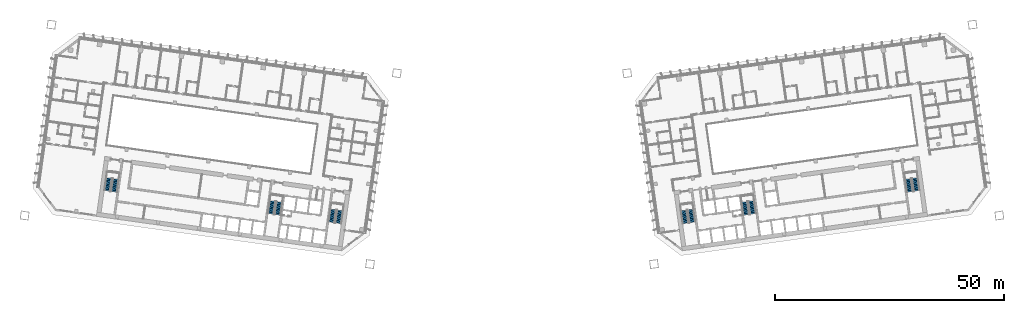
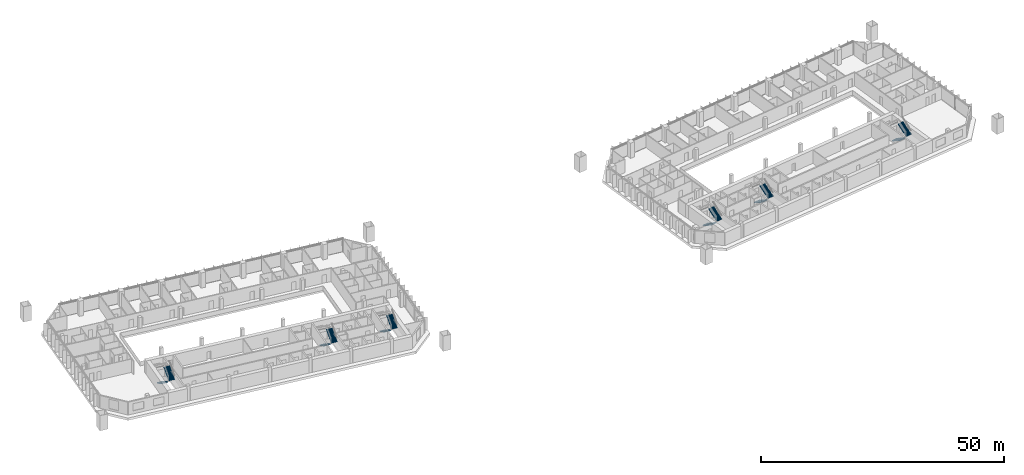
# One storey, part 23 of 25: 12 stair flights, 6 elements without a shape of their own.
"""IFC4 building model written with IfcOpenShell, lengths in metres."""

from ifc_helpers import new_model, si_unit, direction, frame, origin, place, context, subcontext, project, spatial, polyline, outline, extrude, material, type_object, element, aggregate, save


model = new_model("IFC4")

# Units and contexts
model_context = context("Model", 3, precision=1e-05, world=origin(), true_north=direction((0.0, 1.0)))
body_context = subcontext(model_context, "Body", "Model", "MODEL_VIEW")
ifc_project = project(units=[si_unit("LENGTHUNIT", "METRE"), si_unit("AREAUNIT", "SQUARE_METRE"), si_unit("VOLUMEUNIT", "CUBIC_METRE"), si_unit("PLANEANGLEUNIT", "RADIAN"), si_unit("MASSUNIT", "GRAM", prefix="KILO")], contexts=[model_context])

# Site, building, storey
site_placement = place(None, origin())
site = spatial("IfcSite", under=ifc_project, at=site_placement, CompositionType="ELEMENT")
building_placement = place(site_placement, origin())
building = spatial("IfcBuilding", under=site, at=building_placement, Name="Mirante Cascada Hotel Towers", CompositionType="ELEMENT")
storey_placement = place(building_placement, frame((0.0, 0.0, 73.7)))
storey = spatial("IfcBuildingStorey", under=building, at=storey_placement, Name="L15", CompositionType="ELEMENT", Elevation=73.7)

# Stair, stair flights
ifc_material_1 = material(Name="Concrete C35/45", Category="concrete")
stair_type = type_object("IfcStairType", Name="Exit stair half-turn 1350 concrete C35/45", PredefinedType="HALF_TURN_STAIR", material=ifc_material_1)
stair_1_placement = place(storey_placement, origin())
stair_1 = element("IfcStair", 1, at=stair_1_placement, inside=storey, type_object=stair_type, Name="L15 Exit stair A", PredefinedType="HALF_TURN_STAIR")
ifc_material_2 = material(Name="Concrete C35/45", Category="concrete")
stair_flight_type = type_object("IfcStairFlightType", Name="Exit stair flight 1350 concrete C35/45", PredefinedType="STRAIGHT", material=ifc_material_2)
stair_flight_1_placement = place(storey_placement, frame((-38.9417, -11.195, 0.0), z_axis=(0.0, 0.0, 1.0), x_axis=(-0.1391731, -0.9902681, 0.0)))
stair_flight_1 = element("IfcStairFlight", 2, at=stair_flight_1_placement, type_object=stair_flight_type, Name="ST1-A flight 1", NumberOfRisers=11, NumberOfTreads=10, PredefinedType="STRAIGHT", RiserHeight=0.172727273, TreadLength=0.28, context=body_context, shape_type="SweptSolid", body=[
    extrude(outline(polyline([(0.0, 0.0), (0.0, 0.1727), (0.28, 0.1727), (0.28, 0.3455), (0.56, 0.3455), (0.56, 0.5182), (0.84, 0.5182), (0.84, 0.6909), (1.12, 0.6909), (1.12, 0.8636), (1.4, 0.8636), (1.4, 1.0364), (1.68, 1.0364), (1.68, 1.2091), (1.96, 1.2091), (1.96, 1.3818), (2.24, 1.3818), (2.24, 1.5545), (2.52, 1.5545), (2.52, 1.7273), (2.8, 1.7273), (2.8, 1.9), (2.8, 1.551), (0.2857, 0.0), (0.0, 0.0)])), frame((0.0, 0.675, 0.0), z_axis=(0.0, -1.0, 0.0), x_axis=(1.0, 0.0, 0.0)), (0.0, 0.0, 1.0), 1.35),
])
stair_flight_2_placement = place(storey_placement, frame((-37.846, -14.1765, 1.9), z_axis=(0.0, 0.0, 1.0), x_axis=(0.1391731, 0.9902681, 0.0)))
stair_flight_2 = element("IfcStairFlight", 3, at=stair_flight_2_placement, type_object=stair_flight_type, Name="ST1-A flight 2", NumberOfRisers=11, NumberOfTreads=10, PredefinedType="STRAIGHT", RiserHeight=0.172727273, TreadLength=0.28, context=body_context, shape_type="SweptSolid", body=[
    extrude(outline(polyline([(0.0, 0.0), (0.0, 0.1727), (0.28, 0.1727), (0.28, 0.3455), (0.56, 0.3455), (0.56, 0.5182), (0.84, 0.5182), (0.84, 0.6909), (1.12, 0.6909), (1.12, 0.8636), (1.4, 0.8636), (1.4, 1.0364), (1.68, 1.0364), (1.68, 1.2091), (1.96, 1.2091), (1.96, 1.3818), (2.24, 1.3818), (2.24, 1.5545), (2.52, 1.5545), (2.52, 1.7273), (2.8, 1.7273), (2.8, 1.9), (2.8, 1.551), (0.2857, 0.0), (0.0, 0.0)])), frame((0.0, 0.675, 0.0), z_axis=(0.0, -1.0, 0.0), x_axis=(1.0, 0.0, 0.0)), (0.0, 0.0, 1.0), 1.35),
])
aggregate(stair_1, [stair_flight_1, stair_flight_2])

stair_2_placement = place(storey_placement, origin())
stair_2 = element("IfcStair", 4, at=stair_2_placement, inside=storey, type_object=stair_type, Name="L15 Exit stair B", PredefinedType="HALF_TURN_STAIR")
stair_flight_3_placement = place(storey_placement, frame((-52.1618, -9.3371, 0.0), z_axis=(0.0, 0.0, 1.0), x_axis=(-0.1391731, -0.9902681, 0.0)))
stair_flight_3 = element("IfcStairFlight", 5, at=stair_flight_3_placement, type_object=stair_flight_type, Name="ST1-B flight 1", NumberOfRisers=11, NumberOfTreads=10, PredefinedType="STRAIGHT", RiserHeight=0.172727273, TreadLength=0.28, context=body_context, shape_type="SweptSolid", body=[
    extrude(outline(polyline([(0.0, 0.0), (0.0, 0.1727), (0.28, 0.1727), (0.28, 0.3455), (0.56, 0.3455), (0.56, 0.5182), (0.84, 0.5182), (0.84, 0.6909), (1.12, 0.6909), (1.12, 0.8636), (1.4, 0.8636), (1.4, 1.0364), (1.68, 1.0364), (1.68, 1.2091), (1.96, 1.2091), (1.96, 1.3818), (2.24, 1.3818), (2.24, 1.5545), (2.52, 1.5545), (2.52, 1.7273), (2.8, 1.7273), (2.8, 1.9), (2.8, 1.551), (0.2857, 0.0), (0.0, 0.0)])), frame((0.0, 0.675, 0.0), z_axis=(0.0, -1.0, 0.0), x_axis=(1.0, 0.0, 0.0)), (0.0, 0.0, 1.0), 1.35),
])
stair_flight_4_placement = place(storey_placement, frame((-51.0661, -12.3186, 1.9), z_axis=(0.0, 0.0, 1.0), x_axis=(0.1391731, 0.9902681, 0.0)))
stair_flight_4 = element("IfcStairFlight", 6, at=stair_flight_4_placement, type_object=stair_flight_type, Name="ST1-B flight 2", NumberOfRisers=11, NumberOfTreads=10, PredefinedType="STRAIGHT", RiserHeight=0.172727273, TreadLength=0.28, context=body_context, shape_type="SweptSolid", body=[
    extrude(outline(polyline([(0.0, 0.0), (0.0, 0.1727), (0.28, 0.1727), (0.28, 0.3455), (0.56, 0.3455), (0.56, 0.5182), (0.84, 0.5182), (0.84, 0.6909), (1.12, 0.6909), (1.12, 0.8636), (1.4, 0.8636), (1.4, 1.0364), (1.68, 1.0364), (1.68, 1.2091), (1.96, 1.2091), (1.96, 1.3818), (2.24, 1.3818), (2.24, 1.5545), (2.52, 1.5545), (2.52, 1.7273), (2.8, 1.7273), (2.8, 1.9), (2.8, 1.551), (0.2857, 0.0), (0.0, 0.0)])), frame((0.0, 0.675, 0.0), z_axis=(0.0, -1.0, 0.0), x_axis=(1.0, 0.0, 0.0)), (0.0, 0.0, 1.0), 1.35),
])
aggregate(stair_2, [stair_flight_3, stair_flight_4])

stair_3_placement = place(storey_placement, origin())
stair_3 = element("IfcStair", 7, at=stair_3_placement, inside=storey, type_object=stair_type, Name="L15 Exit stair C", PredefinedType="HALF_TURN_STAIR")
stair_flight_5_placement = place(storey_placement, frame((-87.8115, -4.3268, 0.0), z_axis=(0.0, 0.0, 1.0), x_axis=(-0.1391731, -0.9902681, 0.0)))
stair_flight_5 = element("IfcStairFlight", 8, at=stair_flight_5_placement, type_object=stair_flight_type, Name="ST1-C flight 1", NumberOfRisers=11, NumberOfTreads=10, PredefinedType="STRAIGHT", RiserHeight=0.172727273, TreadLength=0.28, context=body_context, shape_type="SweptSolid", body=[
    extrude(outline(polyline([(0.0, 0.0), (0.0, 0.1727), (0.28, 0.1727), (0.28, 0.3455), (0.56, 0.3455), (0.56, 0.5182), (0.84, 0.5182), (0.84, 0.6909), (1.12, 0.6909), (1.12, 0.8636), (1.4, 0.8636), (1.4, 1.0364), (1.68, 1.0364), (1.68, 1.2091), (1.96, 1.2091), (1.96, 1.3818), (2.24, 1.3818), (2.24, 1.5545), (2.52, 1.5545), (2.52, 1.7273), (2.8, 1.7273), (2.8, 1.9), (2.8, 1.551), (0.2857, 0.0), (0.0, 0.0)])), frame((0.0, 0.675, 0.0), z_axis=(0.0, -1.0, 0.0), x_axis=(1.0, 0.0, 0.0)), (0.0, 0.0, 1.0), 1.35),
])
stair_flight_6_placement = place(storey_placement, frame((-86.7157, -7.3084, 1.9), z_axis=(0.0, 0.0, 1.0), x_axis=(0.1391731, 0.9902681, 0.0)))
stair_flight_6 = element("IfcStairFlight", 9, at=stair_flight_6_placement, type_object=stair_flight_type, Name="ST1-C flight 2", NumberOfRisers=11, NumberOfTreads=10, PredefinedType="STRAIGHT", RiserHeight=0.172727273, TreadLength=0.28, context=body_context, shape_type="SweptSolid", body=[
    extrude(outline(polyline([(0.0, 0.0), (0.0, 0.1727), (0.28, 0.1727), (0.28, 0.3455), (0.56, 0.3455), (0.56, 0.5182), (0.84, 0.5182), (0.84, 0.6909), (1.12, 0.6909), (1.12, 0.8636), (1.4, 0.8636), (1.4, 1.0364), (1.68, 1.0364), (1.68, 1.2091), (1.96, 1.2091), (1.96, 1.3818), (2.24, 1.3818), (2.24, 1.5545), (2.52, 1.5545), (2.52, 1.7273), (2.8, 1.7273), (2.8, 1.9), (2.8, 1.551), (0.2857, 0.0), (0.0, 0.0)])), frame((0.0, 0.675, 0.0), z_axis=(0.0, -1.0, 0.0), x_axis=(1.0, 0.0, 0.0)), (0.0, 0.0, 1.0), 1.35),
])
aggregate(stair_3, [stair_flight_5, stair_flight_6])

stair_4_placement = place(storey_placement, origin())
stair_4 = element("IfcStair", 10, at=stair_4_placement, inside=storey, type_object=stair_type, Name="L15 Exit stair A", PredefinedType="HALF_TURN_STAIR")
stair_flight_7_placement = place(storey_placement, frame((37.4563, -11.4038, 0.0), z_axis=(0.0, 0.0, 1.0), x_axis=(0.1391731, -0.9902681, 0.0)))
stair_flight_7 = element("IfcStairFlight", 11, at=stair_flight_7_placement, type_object=stair_flight_type, Name="ST2-A flight 1", NumberOfRisers=11, NumberOfTreads=10, PredefinedType="STRAIGHT", RiserHeight=0.172727273, TreadLength=0.28, context=body_context, shape_type="SweptSolid", body=[
    extrude(outline(polyline([(0.0, 0.0), (0.0, 0.1727), (0.28, 0.1727), (0.28, 0.3455), (0.56, 0.3455), (0.56, 0.5182), (0.84, 0.5182), (0.84, 0.6909), (1.12, 0.6909), (1.12, 0.8636), (1.4, 0.8636), (1.4, 1.0364), (1.68, 1.0364), (1.68, 1.2091), (1.96, 1.2091), (1.96, 1.3818), (2.24, 1.3818), (2.24, 1.5545), (2.52, 1.5545), (2.52, 1.7273), (2.8, 1.7273), (2.8, 1.9), (2.8, 1.551), (0.2857, 0.0), (0.0, 0.0)])), frame((0.0, 0.675, 0.0), z_axis=(0.0, -1.0, 0.0), x_axis=(1.0, 0.0, 0.0)), (0.0, 0.0, 1.0), 1.35),
])
stair_flight_8_placement = place(storey_placement, frame((39.3314, -13.9678, 1.9), z_axis=(0.0, 0.0, 1.0), x_axis=(-0.1391731, 0.9902681, 0.0)))
stair_flight_8 = element("IfcStairFlight", 12, at=stair_flight_8_placement, type_object=stair_flight_type, Name="ST2-A flight 2", NumberOfRisers=11, NumberOfTreads=10, PredefinedType="STRAIGHT", RiserHeight=0.172727273, TreadLength=0.28, context=body_context, shape_type="SweptSolid", body=[
    extrude(outline(polyline([(0.0, 0.0), (0.0, 0.1727), (0.28, 0.1727), (0.28, 0.3455), (0.56, 0.3455), (0.56, 0.5182), (0.84, 0.5182), (0.84, 0.6909), (1.12, 0.6909), (1.12, 0.8636), (1.4, 0.8636), (1.4, 1.0364), (1.68, 1.0364), (1.68, 1.2091), (1.96, 1.2091), (1.96, 1.3818), (2.24, 1.3818), (2.24, 1.5545), (2.52, 1.5545), (2.52, 1.7273), (2.8, 1.7273), (2.8, 1.9), (2.8, 1.551), (0.2857, 0.0), (0.0, 0.0)])), frame((0.0, 0.675, 0.0), z_axis=(0.0, -1.0, 0.0), x_axis=(1.0, 0.0, 0.0)), (0.0, 0.0, 1.0), 1.35),
])
aggregate(stair_4, [stair_flight_7, stair_flight_8])

stair_5_placement = place(storey_placement, origin())
stair_5 = element("IfcStair", 13, at=stair_5_placement, inside=storey, type_object=stair_type, Name="L15 Exit stair B", PredefinedType="HALF_TURN_STAIR")
stair_flight_9_placement = place(storey_placement, frame((50.6764, -9.5458, 0.0), z_axis=(0.0, 0.0, 1.0), x_axis=(0.1391731, -0.9902681, 0.0)))
stair_flight_9 = element("IfcStairFlight", 14, at=stair_flight_9_placement, type_object=stair_flight_type, Name="ST2-B flight 1", NumberOfRisers=11, NumberOfTreads=10, PredefinedType="STRAIGHT", RiserHeight=0.172727273, TreadLength=0.28, context=body_context, shape_type="SweptSolid", body=[
    extrude(outline(polyline([(0.0, 0.0), (0.0, 0.1727), (0.28, 0.1727), (0.28, 0.3455), (0.56, 0.3455), (0.56, 0.5182), (0.84, 0.5182), (0.84, 0.6909), (1.12, 0.6909), (1.12, 0.8636), (1.4, 0.8636), (1.4, 1.0364), (1.68, 1.0364), (1.68, 1.2091), (1.96, 1.2091), (1.96, 1.3818), (2.24, 1.3818), (2.24, 1.5545), (2.52, 1.5545), (2.52, 1.7273), (2.8, 1.7273), (2.8, 1.9), (2.8, 1.551), (0.2857, 0.0), (0.0, 0.0)])), frame((0.0, 0.675, 0.0), z_axis=(0.0, -1.0, 0.0), x_axis=(1.0, 0.0, 0.0)), (0.0, 0.0, 1.0), 1.35),
])
stair_flight_10_placement = place(storey_placement, frame((52.5515, -12.1098, 1.9), z_axis=(0.0, 0.0, 1.0), x_axis=(-0.1391731, 0.9902681, 0.0)))
stair_flight_10 = element("IfcStairFlight", 15, at=stair_flight_10_placement, type_object=stair_flight_type, Name="ST2-B flight 2", NumberOfRisers=11, NumberOfTreads=10, PredefinedType="STRAIGHT", RiserHeight=0.172727273, TreadLength=0.28, context=body_context, shape_type="SweptSolid", body=[
    extrude(outline(polyline([(0.0, 0.0), (0.0, 0.1727), (0.28, 0.1727), (0.28, 0.3455), (0.56, 0.3455), (0.56, 0.5182), (0.84, 0.5182), (0.84, 0.6909), (1.12, 0.6909), (1.12, 0.8636), (1.4, 0.8636), (1.4, 1.0364), (1.68, 1.0364), (1.68, 1.2091), (1.96, 1.2091), (1.96, 1.3818), (2.24, 1.3818), (2.24, 1.5545), (2.52, 1.5545), (2.52, 1.7273), (2.8, 1.7273), (2.8, 1.9), (2.8, 1.551), (0.2857, 0.0), (0.0, 0.0)])), frame((0.0, 0.675, 0.0), z_axis=(0.0, -1.0, 0.0), x_axis=(1.0, 0.0, 0.0)), (0.0, 0.0, 1.0), 1.35),
])
aggregate(stair_5, [stair_flight_9, stair_flight_10])

stair_6_placement = place(storey_placement, origin())
stair_6 = element("IfcStair", 16, at=stair_6_placement, inside=storey, type_object=stair_type, Name="L15 Exit stair C", PredefinedType="HALF_TURN_STAIR")
stair_flight_11_placement = place(storey_placement, frame((86.326, -4.5356, 0.0), z_axis=(0.0, 0.0, 1.0), x_axis=(0.1391731, -0.9902681, 0.0)))
stair_flight_11 = element("IfcStairFlight", 17, at=stair_flight_11_placement, type_object=stair_flight_type, Name="ST2-C flight 1", NumberOfRisers=11, NumberOfTreads=10, PredefinedType="STRAIGHT", RiserHeight=0.172727273, TreadLength=0.28, context=body_context, shape_type="SweptSolid", body=[
    extrude(outline(polyline([(0.0, 0.0), (0.0, 0.1727), (0.28, 0.1727), (0.28, 0.3455), (0.56, 0.3455), (0.56, 0.5182), (0.84, 0.5182), (0.84, 0.6909), (1.12, 0.6909), (1.12, 0.8636), (1.4, 0.8636), (1.4, 1.0364), (1.68, 1.0364), (1.68, 1.2091), (1.96, 1.2091), (1.96, 1.3818), (2.24, 1.3818), (2.24, 1.5545), (2.52, 1.5545), (2.52, 1.7273), (2.8, 1.7273), (2.8, 1.9), (2.8, 1.551), (0.2857, 0.0), (0.0, 0.0)])), frame((0.0, 0.675, 0.0), z_axis=(0.0, -1.0, 0.0), x_axis=(1.0, 0.0, 0.0)), (0.0, 0.0, 1.0), 1.35),
])
stair_flight_12_placement = place(storey_placement, frame((88.2011, -7.0996, 1.9), z_axis=(0.0, 0.0, 1.0), x_axis=(-0.1391731, 0.9902681, 0.0)))
stair_flight_12 = element("IfcStairFlight", 18, at=stair_flight_12_placement, type_object=stair_flight_type, Name="ST2-C flight 2", NumberOfRisers=11, NumberOfTreads=10, PredefinedType="STRAIGHT", RiserHeight=0.172727273, TreadLength=0.28, context=body_context, shape_type="SweptSolid", body=[
    extrude(outline(polyline([(0.0, 0.0), (0.0, 0.1727), (0.28, 0.1727), (0.28, 0.3455), (0.56, 0.3455), (0.56, 0.5182), (0.84, 0.5182), (0.84, 0.6909), (1.12, 0.6909), (1.12, 0.8636), (1.4, 0.8636), (1.4, 1.0364), (1.68, 1.0364), (1.68, 1.2091), (1.96, 1.2091), (1.96, 1.3818), (2.24, 1.3818), (2.24, 1.5545), (2.52, 1.5545), (2.52, 1.7273), (2.8, 1.7273), (2.8, 1.9), (2.8, 1.551), (0.2857, 0.0), (0.0, 0.0)])), frame((0.0, 0.675, 0.0), z_axis=(0.0, -1.0, 0.0), x_axis=(1.0, 0.0, 0.0)), (0.0, 0.0, 1.0), 1.35),
])
aggregate(stair_6, [stair_flight_11, stair_flight_12])

save(model, "model.ifc")
